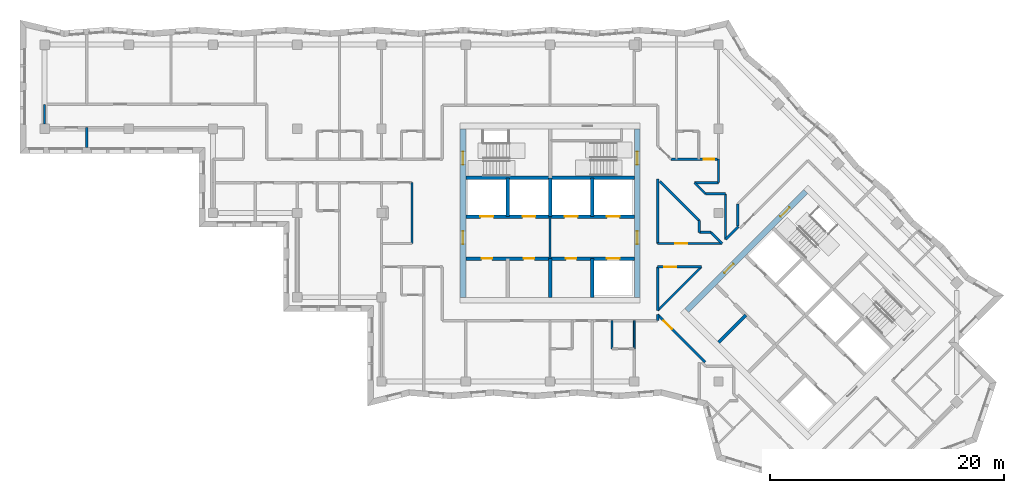
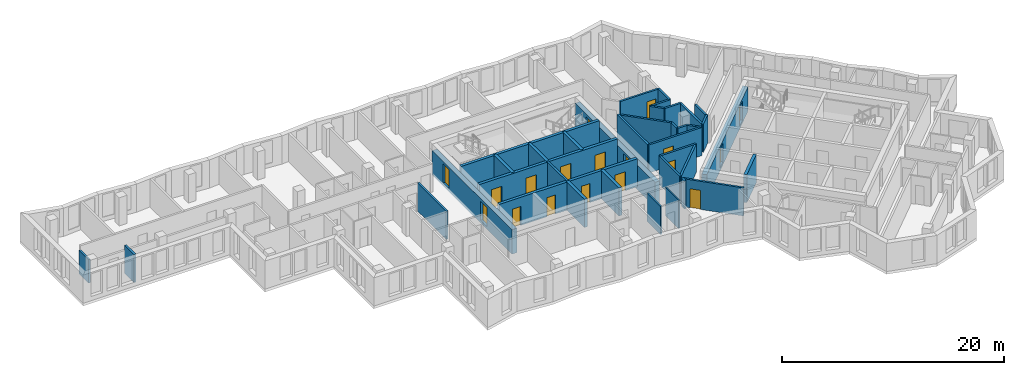
# One storey, part 4 of 11: 38 walls, 18 doors, 18 openings.
"""IFC4 building model written with IfcOpenShell, lengths in metres."""

from ifc_helpers import new_model, si_unit, direction, frame, frame_2d, origin, place, context, subcontext, project, spatial, rectangle, extrude, material, layer, layer_set, type_object, element, fill, save


model = new_model("IFC4")

# Units and contexts
model_context = context("Model", 3, precision=1e-05, world=origin(), true_north=direction((0.0, 1.0)))
body_context = subcontext(model_context, "Body", "Model", "MODEL_VIEW")
ifc_project = project(units=[si_unit("LENGTHUNIT", "METRE"), si_unit("AREAUNIT", "SQUARE_METRE"), si_unit("VOLUMEUNIT", "CUBIC_METRE"), si_unit("PLANEANGLEUNIT", "RADIAN"), si_unit("MASSUNIT", "GRAM", prefix="KILO")], contexts=[model_context])

# Site, building, storey
site_placement = place(None, origin())
site = spatial("IfcSite", under=ifc_project, at=site_placement, CompositionType="ELEMENT")
building_placement = place(site_placement, origin())
building = spatial("IfcBuilding", under=site, at=building_placement, Name="Windrow Commons", CompositionType="ELEMENT")
storey_placement = place(building_placement, frame((0.0, 0.0, 189.6)))
storey = spatial("IfcBuildingStorey", under=building, at=storey_placement, Name="L51", CompositionType="ELEMENT", Elevation=189.6)

# Wall
ifc_material_1 = material(Name="Blockwork partition", Category="masonry")
ifc_layer_1 = layer(ifc_material_1, 0.2)
ifc_layer_set_1 = layer_set([ifc_layer_1], Name="Fire lobby partition 200")
wall_type_1 = type_object("IfcWallType", Name="Fire lobby partition 200", PredefinedType="PARTITIONING", material=ifc_layer_set_1)
wall_1_placement = place(storey_placement, frame((64.8, 53.7, 0.0), z_axis=(0.0, 0.0, 1.0), x_axis=(0.0, 1.0, 0.0)))
element("IfcWall", 1, at=wall_1_placement, inside=storey, type_object=wall_type_1, Name="W-core-lobby-A-L51", PredefinedType="PARTITIONING", context=body_context, shape_type="SweptSolid", body=[
    extrude(rectangle(XDim=3.6, YDim=0.2, at=frame_2d((1.8, 0.0))), origin(), (0.0, 0.0, 1.0), 3.1),
])

# Wall, opening, door
ifc_material_2 = material(Name="Blockwork partition", Category="masonry")
ifc_layer_2 = layer(ifc_material_2, 0.2)
ifc_layer_set_2 = layer_set([ifc_layer_2], Name="IW-CORRIDOR-200")
wall_type_2 = type_object("IfcWallType", Name="IW-CORRIDOR-200", PredefinedType="PARTITIONING", material=ifc_layer_set_2)
wall_2_placement = place(storey_placement, frame((73.9987, 48.9107, 0.0), z_axis=(0.0, 0.0, 1.0), x_axis=(0.7071067812, -0.7071067812, 0.0)))
wall_2 = element("IfcWall", 2, at=wall_2_placement, inside=storey, type_object=wall_type_2, Name="W-L51-W028", PredefinedType="PARTITIONING", context=body_context, shape_type="SweptSolid", body=[
    extrude(rectangle(XDim=5.7445, YDim=0.2, at=frame_2d((2.8723, 0.0))), origin(), (0.0, 0.0, 1.0), 3.1),
])
opening_1_placement = place(wall_2_placement, frame((0.7238, 0.0, 0.0)))
opening_1 = element("IfcOpeningElement", 3, at=opening_1_placement, cuts=wall_2, Name="Opening D310F", PredefinedType="OPENING", context=body_context, shape_type="SweptSolid", body=[
    extrude(rectangle(XDim=1.0, YDim=2.1, at=frame_2d((0.5, 1.05))), frame((0.0, 0.11, 0.0), z_axis=(0.0, -1.0, 0.0), x_axis=(1.0, 0.0, 0.0)), (0.0, 0.0, 1.0), 0.22),
])
ifc_material_3 = material(Name="Timber door leaf", Category="wood")
door_type_1 = type_object("IfcDoorType", Name="DT-AMENITY-1000", OperationType="SINGLE_SWING_LEFT", PredefinedType="DOOR", material=ifc_material_3)
door_1_placement = place(opening_1_placement, origin())
door_1 = element("IfcDoor", 4, at=door_1_placement, inside=storey, type_object=door_type_1, Name="D-L51-D030", OperationType="SINGLE_SWING_LEFT", OverallHeight=2.1, OverallWidth=1.0, PredefinedType="DOOR", context=body_context, shape_type="SweptSolid", body=[
    extrude(rectangle(XDim=1.0, YDim=2.1, at=frame_2d((0.5, 1.05))), frame((0.0, 0.025, 0.0), z_axis=(0.0, -1.0, 0.0), x_axis=(1.0, 0.0, 0.0)), (0.0, 0.0, 1.0), 0.05),
])
fill(opening_1, door_1)

wall_3_placement = place(storey_placement, frame((74.002, 55.0, 0.0), z_axis=(0.0, 0.0, 1.0), x_axis=(1.0, 0.0, 0.0)))
wall_3 = element("IfcWall", 5, at=wall_3_placement, inside=storey, type_object=wall_type_2, Name="W-L51-W030", PredefinedType="PARTITIONING", context=body_context, shape_type="SweptSolid", body=[
    extrude(rectangle(XDim=5.508, YDim=0.2, at=frame_2d((2.754, 0.0))), origin(), (0.0, 0.0, 1.0), 3.1),
])
opening_2_placement = place(wall_3_placement, frame((1.51, 0.0, 0.0)))
opening_2 = element("IfcOpeningElement", 6, at=opening_2_placement, cuts=wall_3, Name="Opening D410F", PredefinedType="OPENING", context=body_context, shape_type="SweptSolid", body=[
    extrude(rectangle(XDim=1.0, YDim=2.1, at=frame_2d((0.5, 1.05))), frame((0.0, 0.11, 0.0), z_axis=(0.0, -1.0, 0.0), x_axis=(1.0, 0.0, 0.0)), (0.0, 0.0, 1.0), 0.22),
])
ifc_material_4 = material(Name="Timber door leaf", Category="wood")
door_type_2 = type_object("IfcDoorType", Name="DT-SERVICE-1000", OperationType="SINGLE_SWING_LEFT", PredefinedType="DOOR", material=ifc_material_4)
door_2_placement = place(opening_2_placement, origin())
door_2 = element("IfcDoor", 7, at=door_2_placement, inside=storey, type_object=door_type_2, Name="D-L51-D031", OperationType="SINGLE_SWING_LEFT", OverallHeight=2.1, OverallWidth=1.0, PredefinedType="DOOR", context=body_context, shape_type="SweptSolid", body=[
    extrude(rectangle(XDim=1.0, YDim=2.1, at=frame_2d((0.5, 1.05))), frame((0.0, 0.025, 0.0), z_axis=(0.0, -1.0, 0.0), x_axis=(1.0, 0.0, 0.0)), (0.0, 0.0, 1.0), 0.05),
])
fill(opening_2, door_2)

# Walls
wall_4_placement = place(storey_placement, frame((74.0, 55.002, 0.0), z_axis=(0.0, 0.0, 1.0), x_axis=(0.0, 1.0, 0.0)))
element("IfcWall", 8, at=wall_4_placement, inside=storey, type_object=wall_type_2, Name="W-L51-W031", PredefinedType="PARTITIONING", context=body_context, shape_type="SweptSolid", body=[
    extrude(rectangle(XDim=5.508, YDim=0.2, at=frame_2d((2.754, 0.0))), origin(), (0.0, 0.0, 1.0), 3.1),
])
wall_5_placement = place(storey_placement, frame((74.0013, 49.2667, 0.0), z_axis=(0.0, 0.0, 1.0), x_axis=(0.7071067812, 0.7071067812, 0.0)))
element("IfcWall", 9, at=wall_5_placement, inside=storey, type_object=wall_type_2, Name="W-L51-W032", PredefinedType="PARTITIONING", context=body_context, shape_type="SweptSolid", body=[
    extrude(rectangle(XDim=5.2778, YDim=0.2, at=frame_2d((2.6389, 0.0))), origin(), (0.0, 0.0, 1.0), 3.1),
])
wall_6_placement = place(storey_placement, frame((53.0, 55.002, 0.0), z_axis=(0.0, 0.0, 1.0), x_axis=(0.0, 1.0, 0.0)))
element("IfcWall", 10, at=wall_6_placement, inside=storey, type_object=wall_type_2, Name="W-L51-W036", PredefinedType="PARTITIONING", context=body_context, shape_type="SweptSolid", body=[
    extrude(rectangle(XDim=5.198, YDim=0.2, at=frame_2d((2.599, 0.0))), origin(), (0.0, 0.0, 1.0), 3.1),
])
wall_7_placement = place(storey_placement, frame((74.1969, 60.3089, 0.0), z_axis=(0.0, 0.0, 1.0), x_axis=(0.7071067812, -0.7071067812, 0.0)))
element("IfcWall", 11, at=wall_7_placement, inside=storey, type_object=wall_type_2, Name="W-L51-W040", PredefinedType="PARTITIONING", context=body_context, shape_type="SweptSolid", body=[
    extrude(rectangle(XDim=4.7376, YDim=0.2, at=frame_2d((2.3688, 0.0))), origin(), (0.0, 0.0, 1.0), 3.1),
])

# Wall, opening, door
wall_8_placement = place(storey_placement, frame((75.142, 62.2, 0.0), z_axis=(0.0, 0.0, 1.0), x_axis=(1.0, 0.0, 0.0)))
wall_8 = element("IfcWall", 12, at=wall_8_placement, inside=storey, type_object=wall_type_2, Name="W-L51-W045", PredefinedType="PARTITIONING", context=body_context, shape_type="SweptSolid", body=[
    extrude(rectangle(XDim=4.058, YDim=0.2, at=frame_2d((2.029, 0.0))), origin(), (0.0, 0.0, 1.0), 3.1),
])
opening_3_placement = place(wall_8_placement, frame((2.808, 0.0, 0.0)))
opening_3 = element("IfcOpeningElement", 13, at=opening_3_placement, cuts=wall_8, Name="Opening D109S", PredefinedType="OPENING", context=body_context, shape_type="SweptSolid", body=[
    extrude(rectangle(XDim=0.9, YDim=2.1, at=frame_2d((0.45, 1.05))), frame((0.0, 0.11, 0.0), z_axis=(0.0, -1.0, 0.0), x_axis=(1.0, 0.0, 0.0)), (0.0, 0.0, 1.0), 0.22),
])
ifc_material_5 = material(Name="Timber door leaf", Category="wood")
door_type_3 = type_object("IfcDoorType", Name="DT-BEDROOM-900", OperationType="SINGLE_SWING_LEFT", PredefinedType="DOOR", material=ifc_material_5)
door_3_placement = place(opening_3_placement, origin())
door_3 = element("IfcDoor", 14, at=door_3_placement, inside=storey, type_object=door_type_3, Name="D-L51-D018", OperationType="SINGLE_SWING_LEFT", OverallHeight=2.1, OverallWidth=0.9, PredefinedType="DOOR", context=body_context, shape_type="SweptSolid", body=[
    extrude(rectangle(XDim=0.9, YDim=2.1, at=frame_2d((0.45, 1.05))), frame((0.0, 0.025, 0.0), z_axis=(0.0, -1.0, 0.0), x_axis=(1.0, 0.0, 0.0)), (0.0, 0.0, 1.0), 0.05),
])
fill(opening_3, door_3)

# Walls
wall_9_placement = place(storey_placement, frame((79.8, 55.35, 0.0), z_axis=(0.0, 0.0, 1.0), x_axis=(0.0, 1.0, 0.0)))
element("IfcWall", 15, at=wall_9_placement, inside=storey, type_object=wall_type_2, Name="W-L51-W047", PredefinedType="PARTITIONING", context=body_context, shape_type="SweptSolid", body=[
    extrude(rectangle(XDim=3.9, YDim=0.2, at=frame_2d((1.95, 0.0))), origin(), (0.0, 0.0, 1.0), 3.1),
])
wall_10_placement = place(storey_placement, frame((74.0, 49.266, 0.0), z_axis=(0.0, 0.0, 1.0), x_axis=(0.0, 1.0, 0.0)))
element("IfcWall", 16, at=wall_10_placement, inside=storey, type_object=wall_type_2, Name="W-L51-W049", PredefinedType="PARTITIONING", context=body_context, shape_type="SweptSolid", body=[
    extrude(rectangle(XDim=3.734, YDim=0.2, at=frame_2d((1.867, 0.0))), origin(), (0.0, 0.0, 1.0), 3.1),
])

# Wall, opening, door
wall_11_placement = place(storey_placement, frame((74.002, 53.0, 0.0), z_axis=(0.0, 0.0, 1.0), x_axis=(1.0, 0.0, 0.0)))
wall_11 = element("IfcWall", 17, at=wall_11_placement, inside=storey, type_object=wall_type_2, Name="W-L51-W050", PredefinedType="PARTITIONING", context=body_context, shape_type="SweptSolid", body=[
    extrude(rectangle(XDim=3.732, YDim=0.2, at=frame_2d((1.866, 0.0))), origin(), (0.0, 0.0, 1.0), 3.1),
])
opening_4_placement = place(wall_11_placement, frame((0.5641, 0.0, 0.0)))
opening_4 = element("IfcOpeningElement", 18, at=opening_4_placement, cuts=wall_11, Name="Opening D410F", PredefinedType="OPENING", context=body_context, shape_type="SweptSolid", body=[
    extrude(rectangle(XDim=1.0, YDim=2.1, at=frame_2d((0.5, 1.05))), frame((0.0, 0.11, 0.0), z_axis=(0.0, -1.0, 0.0), x_axis=(1.0, 0.0, 0.0)), (0.0, 0.0, 1.0), 0.22),
])
door_4_placement = place(opening_4_placement, origin())
door_4 = element("IfcDoor", 19, at=door_4_placement, inside=storey, type_object=door_type_2, Name="D-L51-D000", OperationType="SINGLE_SWING_RIGHT", OverallHeight=2.1, OverallWidth=1.0, PredefinedType="DOOR", context=body_context, shape_type="SweptSolid", body=[
    extrude(rectangle(XDim=1.0, YDim=2.1, at=frame_2d((0.5, 1.05))), frame((0.0, 0.025, 0.0), z_axis=(0.0, -1.0, 0.0), x_axis=(1.0, 0.0, 0.0)), (0.0, 0.0, 1.0), 0.05),
])
fill(opening_4, door_4)

# Walls
wall_12_placement = place(storey_placement, frame((77.144, 60.2, 0.0), z_axis=(0.0, 0.0, 1.0), x_axis=(1.0, 0.0, 0.0)))
element("IfcWall", 20, at=wall_12_placement, inside=storey, type_object=wall_type_2, Name="W-L51-W095", PredefinedType="PARTITIONING", context=body_context, shape_type="SweptSolid", body=[
    extrude(rectangle(XDim=2.056, YDim=0.2, at=frame_2d((1.028, 0.0))), origin(), (0.0, 0.0, 1.0), 3.1),
])
wall_13_placement = place(storey_placement, frame((79.2, 60.2, 0.0), z_axis=(0.0, 0.0, 1.0), x_axis=(0.0, 1.0, 0.0)))
element("IfcWall", 21, at=wall_13_placement, inside=storey, type_object=wall_type_2, Name="W-L51-W100", PredefinedType="PARTITIONING", context=body_context, shape_type="SweptSolid", body=[
    extrude(rectangle(XDim=2.0, YDim=0.2, at=frame_2d((1.0, 0.0))), origin(), (0.0, 0.0, 1.0), 3.1),
])
wall_14_placement = place(storey_placement, frame((78.092, 59.25, 0.0), z_axis=(0.0, 0.0, 1.0), x_axis=(1.0, 0.0, 0.0)))
element("IfcWall", 22, at=wall_14_placement, inside=storey, type_object=wall_type_2, Name="W-L51-W112", PredefinedType="PARTITIONING", context=body_context, shape_type="SweptSolid", body=[
    extrude(rectangle(XDim=1.708, YDim=0.2, at=frame_2d((0.854, 0.0))), origin(), (0.0, 0.0, 1.0), 3.1),
])
wall_15_placement = place(storey_placement, frame((21.6, 65.2, 0.0), z_axis=(0.0, 0.0, 1.0), x_axis=(0.0, 1.0, 0.0)))
element("IfcWall", 23, at=wall_15_placement, inside=storey, type_object=wall_type_2, Name="W-L51-W113", PredefinedType="PARTITIONING", context=body_context, shape_type="SweptSolid", body=[
    extrude(rectangle(XDim=1.698, YDim=0.2, at=frame_2d((0.849, 0.0))), origin(), (0.0, 0.0, 1.0), 2.6),
])
wall_16_placement = place(storey_placement, frame((79.8028, 55.3472, 0.0), z_axis=(0.0, 0.0, 1.0), x_axis=(0.706460727, 0.7077522457, 0.0)))
element("IfcWall", 24, at=wall_16_placement, inside=storey, type_object=wall_type_2, Name="W-L51-W116", PredefinedType="PARTITIONING", context=body_context, shape_type="SweptSolid", body=[
    extrude(rectangle(XDim=1.5486, YDim=0.2, at=frame_2d((0.7743, 0.0))), origin(), (0.0, 0.0, 1.0), 3.1),
])
for number, where, z_axis, x_axis, name in (
    (25, (78.5589, 55.9469, 0.0), (0.0, 0.0, 1.0), (0.7071067812, -0.7071067812, 0.0), "W-L51-W119"),
    (26, (77.1391, 60.1951, 0.0), (0.0, 0.0, 1.0), (0.7071067812, -0.7071067812, 0.0), "W-L51-W120"),
):
    element("IfcWall", number, at=place(storey_placement, frame(where, z_axis=z_axis, x_axis=x_axis)), inside=storey, type_object=wall_type_2, Name=name, PredefinedType="PARTITIONING", context=body_context, shape_type="SweptSolid", body=[
        extrude(rectangle(XDim=1.3407, YDim=0.2, at=frame_2d((0.6704, 0.0))), origin(), (0.0, 0.0, 1.0), 3.1),
    ])
for number, where, z_axis, x_axis, name in (
    (27, (77.55, 55.952, 0.0), (0.0, 0.0, 1.0), (0.0, 1.0, 0.0), "W-L51-W124"),
    (28, (77.552, 55.95, 0.0), (0.0, 0.0, 1.0), (1.0, 0.0, 0.0), "W-L51-W125"),
):
    element("IfcWall", number, at=place(storey_placement, frame(where, z_axis=z_axis, x_axis=x_axis)), inside=storey, type_object=wall_type_2, Name=name, PredefinedType="PARTITIONING", context=body_context, shape_type="SweptSolid", body=[
        extrude(rectangle(XDim=1.01, YDim=0.2, at=frame_2d((0.505, 0.0))), origin(), (0.0, 0.0, 1.0), 3.1),
    ])
wall_17_placement = place(storey_placement, frame((74.0, 48.4, 0.0), z_axis=(0.0, 0.0, 1.0), x_axis=(0.0, 1.0, 0.0)))
element("IfcWall", 29, at=wall_17_placement, inside=storey, type_object=wall_type_2, Name="W-L51-W129", PredefinedType="PARTITIONING", context=body_context, shape_type="SweptSolid", body=[
    extrude(rectangle(XDim=0.514, YDim=0.2, at=frame_2d((0.257, 0.0))), origin(), (0.0, 0.0, 1.0), 3.1),
])
ifc_material_6 = material(Name="Blockwork partition", Category="masonry")
ifc_layer_3 = layer(ifc_material_6, 0.15)
ifc_layer_set_3 = layer_set([ifc_layer_3], Name="IW-ENSUITE-150")
wall_type_3 = type_object("IfcWallType", Name="IW-ENSUITE-150", PredefinedType="PARTITIONING", material=ifc_layer_set_3)
for number, where, z_axis, x_axis, name in (
    (30, (70.1, 46.0, 0.0), (0.0, 0.0, 1.0), (0.0, 1.0, 0.0), "W-L51-W071"),
    (31, (72.0, 46.0, 0.0), (0.0, 0.0, 1.0), (0.0, 1.0, 0.0), "W-L51-W073"),
):
    element("IfcWall", number, at=place(storey_placement, frame(where, z_axis=z_axis, x_axis=x_axis)), inside=storey, type_object=wall_type_3, Name=name, PredefinedType="PARTITIONING", context=body_context, shape_type="SweptSolid", body=[
        extrude(rectangle(XDim=2.4, YDim=0.15, at=frame_2d((1.2, 0.0))), origin(), (0.0, 0.0, 1.0), 3.1),
    ])
ifc_material_7 = material(Name="Blockwork partition", Category="masonry")
ifc_layer_4 = layer(ifc_material_7, 0.2)
ifc_layer_set_4 = layer_set([ifc_layer_4], Name="IW-PARTY-200")
wall_type_4 = type_object("IfcWallType", Name="IW-PARTY-200", PredefinedType="PARTITIONING", material=ifc_layer_set_4)
wall_18_placement = place(storey_placement, frame((80.85, 56.49, 0.0), z_axis=(0.0, 0.0, 1.0), x_axis=(0.0, 1.0, 0.0)))
element("IfcWall", 32, at=wall_18_placement, inside=storey, type_object=wall_type_4, Name="W-L51-W110", PredefinedType="PARTITIONING", context=body_context, shape_type="SweptSolid", body=[
    extrude(rectangle(XDim=1.886, YDim=0.2, at=frame_2d((0.943, 0.0))), origin(), (0.0, 0.0, 1.0), 3.1),
])
wall_19_placement = place(storey_placement, frame((25.2, 63.2, 0.0), z_axis=(0.0, 0.0, 1.0), x_axis=(0.0, 1.0, 0.0)))
element("IfcWall", 33, at=wall_19_placement, inside=storey, type_object=wall_type_4, Name="W-L51-W114", PredefinedType="PARTITIONING", context=body_context, shape_type="SweptSolid", body=[
    extrude(rectangle(XDim=1.7, YDim=0.2, at=frame_2d((0.85, 0.0))), origin(), (0.0, 0.0, 1.0), 3.1),
])

# Wall, openings, doors
ifc_material_8 = material(Name="Concrete C40/50", Category="concrete")
ifc_layer_5 = layer(ifc_material_8, 0.5)
ifc_layer_set_5 = layer_set([ifc_layer_5], Name="RC CORE WALL 500 C40/50")
wall_type_5 = type_object("IfcWallType", Name="RC CORE WALL 500 C40/50", PredefinedType="SHEAR", material=ifc_layer_set_5)
wall_20_placement = place(storey_placement, frame((57.35, 50.4, -0.3), z_axis=(0.0, 0.0, 1.0), x_axis=(0.0, 1.0, 0.0)))
wall_20 = element("IfcWall", 34, at=wall_20_placement, inside=storey, type_object=wall_type_5, Name="Core A wall outer-W", PredefinedType="SHEAR", context=body_context, shape_type="SweptSolid", body=[
    extrude(rectangle(XDim=14.4, YDim=0.5, at=frame_2d((7.2, 0.0))), origin(), (0.0, 0.0, 1.0), 2.7),
])
opening_5_placement = place(wall_20_placement, frame((4.55, 0.0, 0.3)))
opening_5 = element("IfcOpeningElement", 35, at=opening_5_placement, cuts=wall_20, Name="Opening D6", PredefinedType="OPENING", context=body_context, shape_type="SweptSolid", body=[
    extrude(rectangle(XDim=1.1, YDim=2.1, at=frame_2d((0.55, 1.05))), frame((0.0, 0.26, 0.0), z_axis=(0.0, -1.0, 0.0), x_axis=(1.0, 0.0, 0.0)), (0.0, 0.0, 1.0), 0.52),
])
opening_6_placement = place(wall_20_placement, frame((11.35, 0.0, 0.3)))
opening_6 = element("IfcOpeningElement", 36, at=opening_6_placement, cuts=wall_20, Name="Opening D7", PredefinedType="OPENING", context=body_context, shape_type="SweptSolid", body=[
    extrude(rectangle(XDim=1.1, YDim=2.1, at=frame_2d((0.55, 1.05))), frame((0.0, 0.26, 0.0), z_axis=(0.0, -1.0, 0.0), x_axis=(1.0, 0.0, 0.0)), (0.0, 0.0, 1.0), 0.52),
])
ifc_material_9 = material(Name="Steel fire door leaf", Category="steel")
door_type_4 = type_object("IfcDoorType", Name="Core lobby door 1100", OperationType="SINGLE_SWING_LEFT", PredefinedType="DOOR", material=ifc_material_9)
door_5_placement = place(opening_5_placement, origin())
door_5 = element("IfcDoor", 37, at=door_5_placement, inside=storey, type_object=door_type_4, Name="Lift lobby door", OperationType="DOUBLE_DOOR_SINGLE_SWING", OverallHeight=2.1, OverallWidth=1.1, PredefinedType="DOOR", context=body_context, shape_type="SweptSolid", body=[
    extrude(rectangle(XDim=1.1, YDim=2.1, at=frame_2d((0.55, 1.05))), frame((0.0, 0.025, 0.0), z_axis=(0.0, -1.0, 0.0), x_axis=(1.0, 0.0, 0.0)), (0.0, 0.0, 1.0), 0.05),
])
fill(opening_5, door_5)
ifc_material_10 = material(Name="Steel fire door leaf", Category="steel")
door_type_5 = type_object("IfcDoorType", Name="Stair door 1100", OperationType="SINGLE_SWING_LEFT", PredefinedType="DOOR", material=ifc_material_10)
door_6_placement = place(opening_6_placement, origin())
door_6 = element("IfcDoor", 38, at=door_6_placement, inside=storey, type_object=door_type_5, Name="Stair door", OperationType="SINGLE_SWING_LEFT", OverallHeight=2.1, OverallWidth=1.1, PredefinedType="DOOR", context=body_context, shape_type="SweptSolid", body=[
    extrude(rectangle(XDim=1.1, YDim=2.1, at=frame_2d((0.55, 1.05))), frame((0.0, 0.025, 0.0), z_axis=(0.0, -1.0, 0.0), x_axis=(1.0, 0.0, 0.0)), (0.0, 0.0, 1.0), 0.05),
])
fill(opening_6, door_6)

wall_21_placement = place(storey_placement, frame((72.25, 50.4, -0.3), z_axis=(0.0, 0.0, 1.0), x_axis=(0.0, 1.0, 0.0)))
wall_21 = element("IfcWall", 39, at=wall_21_placement, inside=storey, type_object=wall_type_5, Name="Core A wall outer-E", PredefinedType="SHEAR", context=body_context, shape_type="SweptSolid", body=[
    extrude(rectangle(XDim=14.4, YDim=0.5, at=frame_2d((7.2, 0.0))), origin(), (0.0, 0.0, 1.0), 2.7),
])
opening_7_placement = place(wall_21_placement, frame((4.55, 0.0, 0.3)))
opening_7 = element("IfcOpeningElement", 40, at=opening_7_placement, cuts=wall_21, Name="Opening D6", PredefinedType="OPENING", context=body_context, shape_type="SweptSolid", body=[
    extrude(rectangle(XDim=1.1, YDim=2.1, at=frame_2d((0.55, 1.05))), frame((0.0, 0.26, 0.0), z_axis=(0.0, -1.0, 0.0), x_axis=(1.0, 0.0, 0.0)), (0.0, 0.0, 1.0), 0.52),
])
opening_8_placement = place(wall_21_placement, frame((11.35, 0.0, 0.3)))
opening_8 = element("IfcOpeningElement", 41, at=opening_8_placement, cuts=wall_21, Name="Opening D7", PredefinedType="OPENING", context=body_context, shape_type="SweptSolid", body=[
    extrude(rectangle(XDim=1.1, YDim=2.1, at=frame_2d((0.55, 1.05))), frame((0.0, 0.26, 0.0), z_axis=(0.0, -1.0, 0.0), x_axis=(1.0, 0.0, 0.0)), (0.0, 0.0, 1.0), 0.52),
])
door_7_placement = place(opening_7_placement, origin())
door_7 = element("IfcDoor", 42, at=door_7_placement, inside=storey, type_object=door_type_4, Name="Lift lobby door", OperationType="DOUBLE_DOOR_SINGLE_SWING", OverallHeight=2.1, OverallWidth=1.1, PredefinedType="DOOR", context=body_context, shape_type="SweptSolid", body=[
    extrude(rectangle(XDim=1.1, YDim=2.1, at=frame_2d((0.55, 1.05))), frame((0.0, 0.025, 0.0), z_axis=(0.0, -1.0, 0.0), x_axis=(1.0, 0.0, 0.0)), (0.0, 0.0, 1.0), 0.05),
])
fill(opening_7, door_7)
door_8_placement = place(opening_8_placement, origin())
door_8 = element("IfcDoor", 43, at=door_8_placement, inside=storey, type_object=door_type_5, Name="Stair door", OperationType="SINGLE_SWING_RIGHT", OverallHeight=2.1, OverallWidth=1.1, PredefinedType="DOOR", context=body_context, shape_type="SweptSolid", body=[
    extrude(rectangle(XDim=1.1, YDim=2.1, at=frame_2d((0.55, 1.05))), frame((0.0, 0.025, 0.0), z_axis=(0.0, -1.0, 0.0), x_axis=(1.0, 0.0, 0.0)), (0.0, 0.0, 1.0), 0.05),
])
fill(opening_8, door_8)

wall_22_placement = place(storey_placement, frame((76.4776, 49.2665, -0.3), z_axis=(0.0, 0.0, 1.0), x_axis=(0.7071067812, 0.7071067812, 0.0)))
wall_22 = element("IfcWall", 44, at=wall_22_placement, inside=storey, type_object=wall_type_5, Name="Core B wall outer-W", PredefinedType="SHEAR", context=body_context, shape_type="SweptSolid", body=[
    extrude(rectangle(XDim=14.4001, YDim=0.5, at=frame_2d((7.2001, 0.0))), origin(), (0.0, 0.0, 1.0), 2.7),
])
opening_9_placement = place(wall_22_placement, frame((4.55, 0.0, 0.3)))
opening_9 = element("IfcOpeningElement", 45, at=opening_9_placement, cuts=wall_22, Name="Opening D6", PredefinedType="OPENING", context=body_context, shape_type="SweptSolid", body=[
    extrude(rectangle(XDim=1.1, YDim=2.1, at=frame_2d((0.55, 1.05))), frame((0.0, 0.26, 0.0), z_axis=(0.0, -1.0, 0.0), x_axis=(1.0, 0.0, 0.0)), (0.0, 0.0, 1.0), 0.52),
])
opening_10_placement = place(wall_22_placement, frame((11.35, 0.0, 0.3)))
opening_10 = element("IfcOpeningElement", 46, at=opening_10_placement, cuts=wall_22, Name="Opening D7", PredefinedType="OPENING", context=body_context, shape_type="SweptSolid", body=[
    extrude(rectangle(XDim=1.1, YDim=2.1, at=frame_2d((0.55, 1.05))), frame((0.0, 0.26, 0.0), z_axis=(0.0, -1.0, 0.0), x_axis=(1.0, 0.0, 0.0)), (0.0, 0.0, 1.0), 0.52),
])
door_9_placement = place(opening_9_placement, origin())
door_9 = element("IfcDoor", 47, at=door_9_placement, inside=storey, type_object=door_type_4, Name="Lift lobby door", OperationType="DOUBLE_DOOR_SINGLE_SWING", OverallHeight=2.1, OverallWidth=1.1, PredefinedType="DOOR", context=body_context, shape_type="SweptSolid", body=[
    extrude(rectangle(XDim=1.1, YDim=2.1, at=frame_2d((0.55, 1.05))), frame((0.0, 0.025, 0.0), z_axis=(0.0, -1.0, 0.0), x_axis=(1.0, 0.0, 0.0)), (0.0, 0.0, 1.0), 0.05),
])
fill(opening_9, door_9)
door_10_placement = place(opening_10_placement, origin())
door_10 = element("IfcDoor", 48, at=door_10_placement, inside=storey, type_object=door_type_5, Name="Stair door", OperationType="SINGLE_SWING_LEFT", OverallHeight=2.1, OverallWidth=1.1, PredefinedType="DOOR", context=body_context, shape_type="SweptSolid", body=[
    extrude(rectangle(XDim=1.1, YDim=2.1, at=frame_2d((0.55, 1.05))), frame((0.0, 0.025, 0.0), z_axis=(0.0, -1.0, 0.0), x_axis=(1.0, 0.0, 0.0)), (0.0, 0.0, 1.0), 0.05),
])
fill(opening_10, door_10)

# Walls
ifc_material_11 = material(Name="Concrete C40/50", Category="concrete")
ifc_layer_6 = layer(ifc_material_11, 0.3)
ifc_layer_set_6 = layer_set([ifc_layer_6], Name="RC SHAFT WALL 300 C40/50")
wall_type_6 = type_object("IfcWallType", Name="RC SHAFT WALL 300 C40/50", PredefinedType="SOLIDWALL", material=ifc_layer_set_6)
for number, where, z_axis, x_axis, name in (
    (49, (61.2, 57.3, 0.0), (0.0, 0.0, 1.0), (0.0, 1.0, 0.0), "Core A wall shaft-N1"),
    (50, (64.8, 50.4, 0.0), (0.0, 0.0, 1.0), (0.0, 1.0, 0.0), "Core A wall shaft-S2"),
    (51, (64.8, 57.3, 0.0), (0.0, 0.0, 1.0), (0.0, 1.0, 0.0), "Core A wall shaft-N2"),
    (52, (68.4, 50.4, 0.0), (0.0, 0.0, 1.0), (0.0, 1.0, 0.0), "Core A wall shaft-S3"),
    (53, (68.4, 57.3, 0.0), (0.0, 0.0, 1.0), (0.0, 1.0, 0.0), "Core A wall shaft-N3"),
):
    element("IfcWall", number, at=place(storey_placement, frame(where, z_axis=z_axis, x_axis=x_axis)), inside=storey, type_object=wall_type_6, Name=name, PredefinedType="SOLIDWALL", context=body_context, shape_type="SweptSolid", body=[
        extrude(rectangle(XDim=3.3, YDim=0.3, at=frame_2d((1.65, 0.0))), origin(), (0.0, 0.0, 1.0), 3.1),
    ])

# Wall, openings, doors
wall_23_placement = place(storey_placement, frame((57.6, 53.7, 0.0), z_axis=(0.0, 0.0, 1.0), x_axis=(1.0, 0.0, 0.0)))
wall_23 = element("IfcWall", 54, at=wall_23_placement, inside=storey, type_object=wall_type_6, Name="Core A wall lobby-S", PredefinedType="SOLIDWALL", context=body_context, shape_type="SweptSolid", body=[
    extrude(rectangle(XDim=14.4, YDim=0.3, at=frame_2d((7.2, 0.0))), origin(), (0.0, 0.0, 1.0), 3.1),
])
opening_11_placement = place(wall_23_placement, frame((1.35, 0.0, 0.0)))
opening_11 = element("IfcOpeningElement", 55, at=opening_11_placement, cuts=wall_23, Name="Opening D8", PredefinedType="OPENING", context=body_context, shape_type="SweptSolid", body=[
    extrude(rectangle(XDim=0.9, YDim=2.1, at=frame_2d((0.45, 1.05))), frame((0.0, 0.16, 0.0), z_axis=(0.0, -1.0, 0.0), x_axis=(1.0, 0.0, 0.0)), (0.0, 0.0, 1.0), 0.32),
])
opening_12_placement = place(wall_23_placement, frame((4.95, 0.0, 0.0)))
opening_12 = element("IfcOpeningElement", 56, at=opening_12_placement, cuts=wall_23, Name="Opening D8", PredefinedType="OPENING", context=body_context, shape_type="SweptSolid", body=[
    extrude(rectangle(XDim=0.9, YDim=2.1, at=frame_2d((0.45, 1.05))), frame((0.0, 0.16, 0.0), z_axis=(0.0, -1.0, 0.0), x_axis=(1.0, 0.0, 0.0)), (0.0, 0.0, 1.0), 0.32),
])
opening_13_placement = place(wall_23_placement, frame((8.55, 0.0, 0.0)))
opening_13 = element("IfcOpeningElement", 57, at=opening_13_placement, cuts=wall_23, Name="Opening D8", PredefinedType="OPENING", context=body_context, shape_type="SweptSolid", body=[
    extrude(rectangle(XDim=0.9, YDim=2.1, at=frame_2d((0.45, 1.05))), frame((0.0, 0.16, 0.0), z_axis=(0.0, -1.0, 0.0), x_axis=(1.0, 0.0, 0.0)), (0.0, 0.0, 1.0), 0.32),
])
opening_14_placement = place(wall_23_placement, frame((12.05, 0.0, 0.0)))
opening_14 = element("IfcOpeningElement", 58, at=opening_14_placement, cuts=wall_23, Name="Opening LD", PredefinedType="OPENING", context=body_context, shape_type="SweptSolid", body=[
    extrude(rectangle(XDim=1.1, YDim=2.1, at=frame_2d((0.55, 1.05))), frame((0.0, 0.16, 0.0), z_axis=(0.0, -1.0, 0.0), x_axis=(1.0, 0.0, 0.0)), (0.0, 0.0, 1.0), 0.32),
])
ifc_material_12 = material(Name="Steel fire door leaf", Category="steel")
door_type_6 = type_object("IfcDoorType", Name="Core store door 900", OperationType="SINGLE_SWING_LEFT", PredefinedType="DOOR", material=ifc_material_12)
door_11_placement = place(opening_11_placement, origin())
door_11 = element("IfcDoor", 59, at=door_11_placement, inside=storey, type_object=door_type_6, Name="Store door", OperationType="SINGLE_SWING_LEFT", OverallHeight=2.1, OverallWidth=0.9, PredefinedType="DOOR", context=body_context, shape_type="SweptSolid", body=[
    extrude(rectangle(XDim=0.9, YDim=2.1, at=frame_2d((0.45, 1.05))), frame((0.0, 0.025, 0.0), z_axis=(0.0, -1.0, 0.0), x_axis=(1.0, 0.0, 0.0)), (0.0, 0.0, 1.0), 0.05),
])
fill(opening_11, door_11)
door_12_placement = place(opening_12_placement, origin())
door_12 = element("IfcDoor", 60, at=door_12_placement, inside=storey, type_object=door_type_6, Name="Store door", OperationType="SINGLE_SWING_LEFT", OverallHeight=2.1, OverallWidth=0.9, PredefinedType="DOOR", context=body_context, shape_type="SweptSolid", body=[
    extrude(rectangle(XDim=0.9, YDim=2.1, at=frame_2d((0.45, 1.05))), frame((0.0, 0.025, 0.0), z_axis=(0.0, -1.0, 0.0), x_axis=(1.0, 0.0, 0.0)), (0.0, 0.0, 1.0), 0.05),
])
fill(opening_12, door_12)
door_13_placement = place(opening_13_placement, origin())
door_13 = element("IfcDoor", 61, at=door_13_placement, inside=storey, type_object=door_type_6, Name="Store door", OperationType="SINGLE_SWING_LEFT", OverallHeight=2.1, OverallWidth=0.9, PredefinedType="DOOR", context=body_context, shape_type="SweptSolid", body=[
    extrude(rectangle(XDim=0.9, YDim=2.1, at=frame_2d((0.45, 1.05))), frame((0.0, 0.025, 0.0), z_axis=(0.0, -1.0, 0.0), x_axis=(1.0, 0.0, 0.0)), (0.0, 0.0, 1.0), 0.05),
])
fill(opening_13, door_13)
ifc_material_13 = material(Name="Stainless steel door leaf", Category="steel")
door_type_7 = type_object("IfcDoorType", Name="Lift landing door 1100", OperationType="SLIDING_TO_LEFT", PredefinedType="DOOR", material=ifc_material_13)
door_14_placement = place(opening_14_placement, origin())
door_14 = element("IfcDoor", 62, at=door_14_placement, inside=storey, type_object=door_type_7, Name="Lift landing door", OperationType="SLIDING_TO_RIGHT", OverallHeight=2.1, OverallWidth=1.1, PredefinedType="DOOR", context=body_context, shape_type="SweptSolid", body=[
    extrude(rectangle(XDim=1.1, YDim=2.1, at=frame_2d((0.55, 1.05))), frame((0.0, 0.025, 0.0), z_axis=(0.0, -1.0, 0.0), x_axis=(1.0, 0.0, 0.0)), (0.0, 0.0, 1.0), 0.05),
])
fill(opening_14, door_14)

wall_24_placement = place(storey_placement, frame((57.6, 57.3, 0.0), z_axis=(0.0, 0.0, 1.0), x_axis=(1.0, 0.0, 0.0)))
wall_24 = element("IfcWall", 63, at=wall_24_placement, inside=storey, type_object=wall_type_6, Name="Core A wall lobby-N", PredefinedType="SOLIDWALL", context=body_context, shape_type="SweptSolid", body=[
    extrude(rectangle(XDim=14.4, YDim=0.3, at=frame_2d((7.2, 0.0))), origin(), (0.0, 0.0, 1.0), 3.1),
])
opening_15_placement = place(wall_24_placement, frame((1.25, 0.0, 0.0)))
opening_15 = element("IfcOpeningElement", 64, at=opening_15_placement, cuts=wall_24, Name="Opening LD", PredefinedType="OPENING", context=body_context, shape_type="SweptSolid", body=[
    extrude(rectangle(XDim=1.1, YDim=2.1, at=frame_2d((0.55, 1.05))), frame((0.0, 0.16, 0.0), z_axis=(0.0, -1.0, 0.0), x_axis=(1.0, 0.0, 0.0)), (0.0, 0.0, 1.0), 0.32),
])
opening_16_placement = place(wall_24_placement, frame((4.85, 0.0, 0.0)))
opening_16 = element("IfcOpeningElement", 65, at=opening_16_placement, cuts=wall_24, Name="Opening LD", PredefinedType="OPENING", context=body_context, shape_type="SweptSolid", body=[
    extrude(rectangle(XDim=1.1, YDim=2.1, at=frame_2d((0.55, 1.05))), frame((0.0, 0.16, 0.0), z_axis=(0.0, -1.0, 0.0), x_axis=(1.0, 0.0, 0.0)), (0.0, 0.0, 1.0), 0.32),
])
opening_17_placement = place(wall_24_placement, frame((8.45, 0.0, 0.0)))
opening_17 = element("IfcOpeningElement", 66, at=opening_17_placement, cuts=wall_24, Name="Opening LD", PredefinedType="OPENING", context=body_context, shape_type="SweptSolid", body=[
    extrude(rectangle(XDim=1.1, YDim=2.1, at=frame_2d((0.55, 1.05))), frame((0.0, 0.16, 0.0), z_axis=(0.0, -1.0, 0.0), x_axis=(1.0, 0.0, 0.0)), (0.0, 0.0, 1.0), 0.32),
])
opening_18_placement = place(wall_24_placement, frame((12.05, 0.0, 0.0)))
opening_18 = element("IfcOpeningElement", 67, at=opening_18_placement, cuts=wall_24, Name="Opening LD", PredefinedType="OPENING", context=body_context, shape_type="SweptSolid", body=[
    extrude(rectangle(XDim=1.1, YDim=2.1, at=frame_2d((0.55, 1.05))), frame((0.0, 0.16, 0.0), z_axis=(0.0, -1.0, 0.0), x_axis=(1.0, 0.0, 0.0)), (0.0, 0.0, 1.0), 0.32),
])
door_15_placement = place(opening_15_placement, origin())
door_15 = element("IfcDoor", 68, at=door_15_placement, inside=storey, type_object=door_type_7, Name="Lift landing door", OperationType="SLIDING_TO_LEFT", OverallHeight=2.1, OverallWidth=1.1, PredefinedType="DOOR", context=body_context, shape_type="SweptSolid", body=[
    extrude(rectangle(XDim=1.1, YDim=2.1, at=frame_2d((0.55, 1.05))), frame((0.0, 0.025, 0.0), z_axis=(0.0, -1.0, 0.0), x_axis=(1.0, 0.0, 0.0)), (0.0, 0.0, 1.0), 0.05),
])
fill(opening_15, door_15)
door_16_placement = place(opening_16_placement, origin())
door_16 = element("IfcDoor", 69, at=door_16_placement, inside=storey, type_object=door_type_7, Name="Lift landing door", OperationType="SLIDING_TO_RIGHT", OverallHeight=2.1, OverallWidth=1.1, PredefinedType="DOOR", context=body_context, shape_type="SweptSolid", body=[
    extrude(rectangle(XDim=1.1, YDim=2.1, at=frame_2d((0.55, 1.05))), frame((0.0, 0.025, 0.0), z_axis=(0.0, -1.0, 0.0), x_axis=(1.0, 0.0, 0.0)), (0.0, 0.0, 1.0), 0.05),
])
fill(opening_16, door_16)
door_17_placement = place(opening_17_placement, origin())
door_17 = element("IfcDoor", 70, at=door_17_placement, inside=storey, type_object=door_type_7, Name="Lift landing door", OperationType="SLIDING_TO_LEFT", OverallHeight=2.1, OverallWidth=1.1, PredefinedType="DOOR", context=body_context, shape_type="SweptSolid", body=[
    extrude(rectangle(XDim=1.1, YDim=2.1, at=frame_2d((0.55, 1.05))), frame((0.0, 0.025, 0.0), z_axis=(0.0, -1.0, 0.0), x_axis=(1.0, 0.0, 0.0)), (0.0, 0.0, 1.0), 0.05),
])
fill(opening_17, door_17)
door_18_placement = place(opening_18_placement, origin())
door_18 = element("IfcDoor", 71, at=door_18_placement, inside=storey, type_object=door_type_7, Name="Lift landing door", OperationType="SLIDING_TO_RIGHT", OverallHeight=2.1, OverallWidth=1.1, PredefinedType="DOOR", context=body_context, shape_type="SweptSolid", body=[
    extrude(rectangle(XDim=1.1, YDim=2.1, at=frame_2d((0.55, 1.05))), frame((0.0, 0.025, 0.0), z_axis=(0.0, -1.0, 0.0), x_axis=(1.0, 0.0, 0.0)), (0.0, 0.0, 1.0), 0.05),
])
fill(opening_18, door_18)

# Walls
for number, where, z_axis, x_axis, name in (
    (72, (57.6, 60.6, 0.0), (0.0, 0.0, 1.0), (1.0, 0.0, 0.0), "Core A wall stair-S"),
    (73, (64.8, 60.6, 0.0), (0.0, 0.0, 1.0), (1.0, 0.0, 0.0), "Core A wall stair-S2"),
):
    element("IfcWall", number, at=place(storey_placement, frame(where, z_axis=z_axis, x_axis=x_axis)), inside=storey, type_object=wall_type_6, Name=name, PredefinedType="SOLIDWALL", context=body_context, shape_type="SweptSolid", body=[
        extrude(rectangle(XDim=7.2, YDim=0.3, at=frame_2d((3.6, 0.0))), origin(), (0.0, 0.0, 1.0), 3.1),
    ])
wall_25_placement = place(storey_placement, frame((79.2, 46.5442, 0.0), z_axis=(0.0, 0.0, 1.0), x_axis=(0.7071219326, 0.7070916295, 0.0)))
element("IfcWall", 74, at=wall_25_placement, inside=storey, type_object=wall_type_6, Name="Core B wall shaft-S1", PredefinedType="SOLIDWALL", context=body_context, shape_type="SweptSolid", body=[
    extrude(rectangle(XDim=3.3, YDim=0.3, at=frame_2d((1.65, 0.0))), origin(), (0.0, 0.0, 1.0), 3.1),
])

save(model, "model.ifc")
